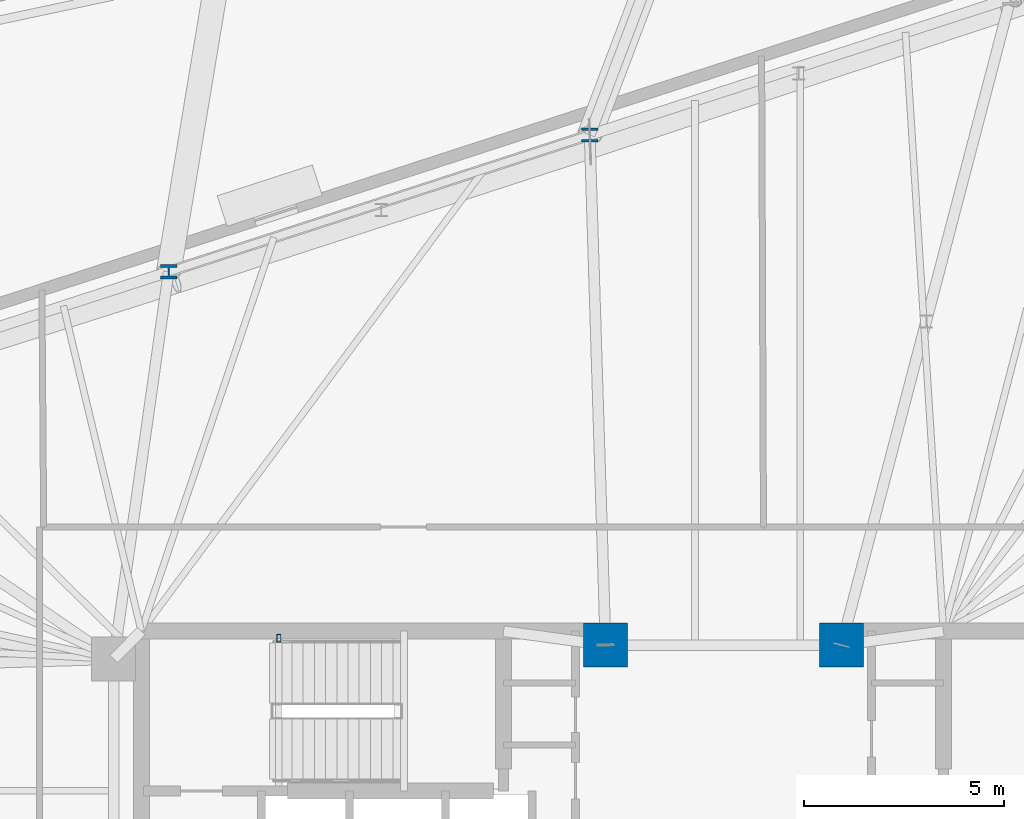
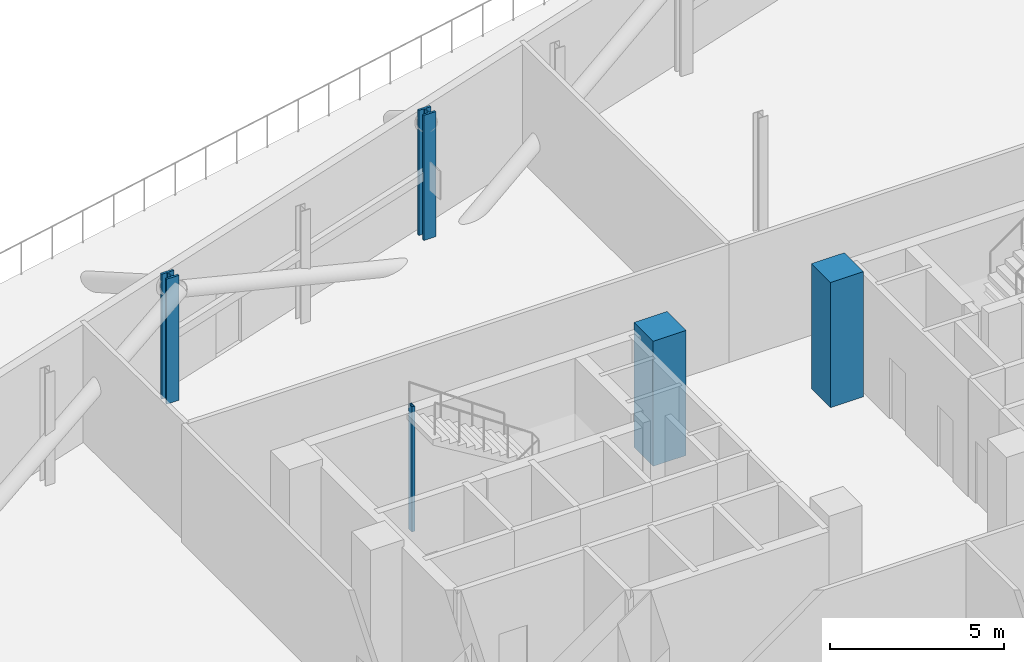
# One storey, part 2 of 16: 5 columns.
"""IFC4 building model written with IfcOpenShell, lengths in metres."""

from ifc_helpers import new_model, si_unit, direction, frame, origin, origin_2d, place, context, subcontext, project, spatial, rectangle, hollow_rectangle, i_section, extrude, material, material_profile, profile_set, type_object, element, save


model = new_model("IFC4")

# Units and contexts
model_context = context("Model", 3, precision=1e-05, world=origin(), true_north=direction((0.0, 1.0)))
body_context = subcontext(model_context, "Body", "Model", "MODEL_VIEW")
ifc_project = project(units=[si_unit("LENGTHUNIT", "METRE"), si_unit("AREAUNIT", "SQUARE_METRE"), si_unit("VOLUMEUNIT", "CUBIC_METRE"), si_unit("PLANEANGLEUNIT", "RADIAN"), si_unit("MASSUNIT", "GRAM", prefix="KILO")], contexts=[model_context])

# Site, building, storey
site_placement = place(None, origin())
site = spatial("IfcSite", under=ifc_project, at=site_placement, CompositionType="ELEMENT")
building_placement = place(site_placement, origin())
building = spatial("IfcBuilding", under=site, at=building_placement, Name="Menara Jurai Vektor", CompositionType="ELEMENT")
storey_placement = place(building_placement, frame((0.0, 0.0, 202.39990234375)))
storey = spatial("IfcBuildingStorey", under=building, at=storey_placement, Name="L53", CompositionType="ELEMENT", Elevation=202.39990234375)

# Columns
ifc_material_1 = material(Name="Concrete C50/60", Category="concrete")
ifc_material_profile_1 = material_profile(ifc_material_1, rectangle(XDim=1.10009765625, YDim=1.10009765625, at=origin_2d()), Name="RC 1100x1100")
ifc_profile_set_1 = profile_set([ifc_material_profile_1], Name="Concrete C50/60")
column_type_1 = type_object("IfcColumnType", Name="STR-COL-RC1100", PredefinedType="COLUMN", material=ifc_profile_set_1)
for number, where, z_axis, x_axis, name in (
    (1, (-2.949951171875, 5.25, 0.0), (0.0, 0.0, 1.0), (1.0, 0.0, 0.0), "Core Spine Column CW-NE L53"),
    (2, (2.949951171875, 5.25, 0.0), (0.0, 0.0, 1.0), (1.0, 0.0, 0.0), "Core Spine Column CE-NW L53"),
):
    element("IfcColumn", number, at=place(storey_placement, frame(where, z_axis=z_axis, x_axis=x_axis)), inside=storey, type_object=column_type_1, Name=name, PredefinedType="COLUMN", context=body_context, shape_type="SweptSolid", body=[
        extrude(rectangle(XDim=1.10009765625, YDim=1.10009765625, at=origin_2d()), origin(), (0.0, 0.0, 1.0), 4.400146484375),
    ])
ifc_material_2 = material(Name="Steel S355", Category="steel")
ifc_material_profile_2 = material_profile(ifc_material_2, hollow_rectangle(XDim=0.10009765625, YDim=0.199951171875, WallThickness=0.008056640625, at=origin_2d()), Name="RHS 200x100x8")
ifc_profile_set_2 = profile_set([ifc_material_profile_2], Name="Steel S355")
column_type_2 = type_object("IfcColumnType", Name="STR-COL-STAIR", PredefinedType="COLUMN", material=ifc_profile_set_2)
column_placement = place(storey_placement, frame((-11.1201171875, 5.419921875, 0.0), z_axis=(0.0, 0.0, 1.0), x_axis=(1.0, 0.0, 0.0)))
element("IfcColumn", 3, at=column_placement, inside=storey, type_object=column_type_2, Name="Stair Well Header Column ST1-P2 L53", PredefinedType="COLUMN", context=body_context, shape_type="SweptSolid", body=[
    extrude(hollow_rectangle(XDim=0.10009765625, YDim=0.199951171875, WallThickness=0.008056640625, at=origin_2d()), origin(), (0.0, 0.0, 1.0), 4.400146484375),
])
ifc_material_3 = material(Name="Steel S460", Category="steel")
ifc_material_profile_3 = material_profile(ifc_material_3, i_section(OverallWidth=0.405029296875, OverallDepth=0.35498046875, WebThickness=0.0419921875, FlangeThickness=0.068115234375, FilletRadius=0.014892578125, at=origin_2d()), Name="HD 400x551")
ifc_profile_set_3 = profile_set([ifc_material_profile_3], Name="Steel S460")
column_type_3 = type_object("IfcColumnType", Name="STR-EXO-BLK4", PredefinedType="COLUMN", material=ifc_profile_set_3)
for number, where, z_axis, x_axis, name in (
    (4, (-3.345703125, 18.008544921875, 0.0), (0.0, 0.0, 1.0), (1.0, 0.0, 0.0), "Exoskeleton Column BLK4-N3 L53"),
    (5, (-13.875, 14.58740234375, 0.0), (0.0, 0.0, 1.0), (1.0, 0.0, 0.0), "Exoskeleton Column BLK4-N4 L53"),
):
    element("IfcColumn", number, at=place(storey_placement, frame(where, z_axis=z_axis, x_axis=x_axis)), inside=storey, type_object=column_type_3, Name=name, PredefinedType="COLUMN", context=body_context, shape_type="SweptSolid", body=[
        extrude(i_section(OverallWidth=0.405029296875, OverallDepth=0.35498046875, WebThickness=0.0419921875, FlangeThickness=0.068115234375, FilletRadius=0.014892578125, at=origin_2d()), origin(), (0.0, 0.0, 1.0), 4.400146484375),
    ])

save(model, "model.ifc")
